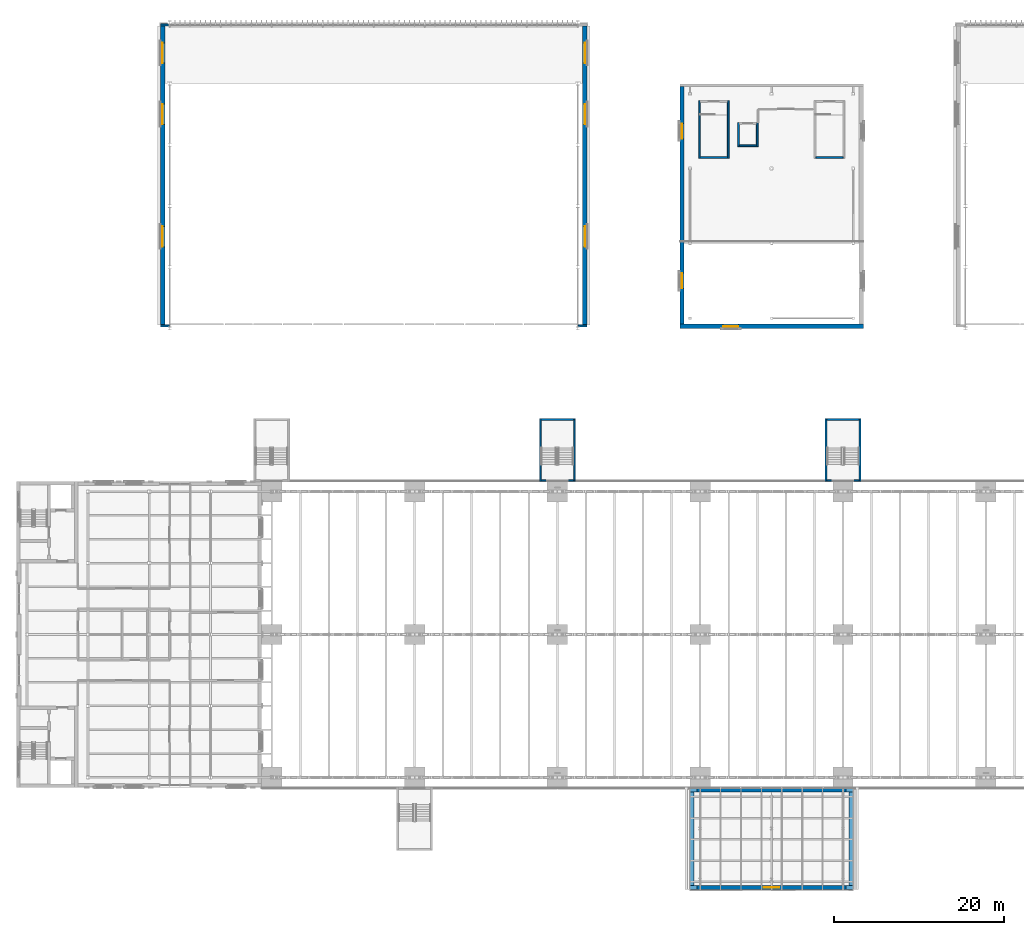
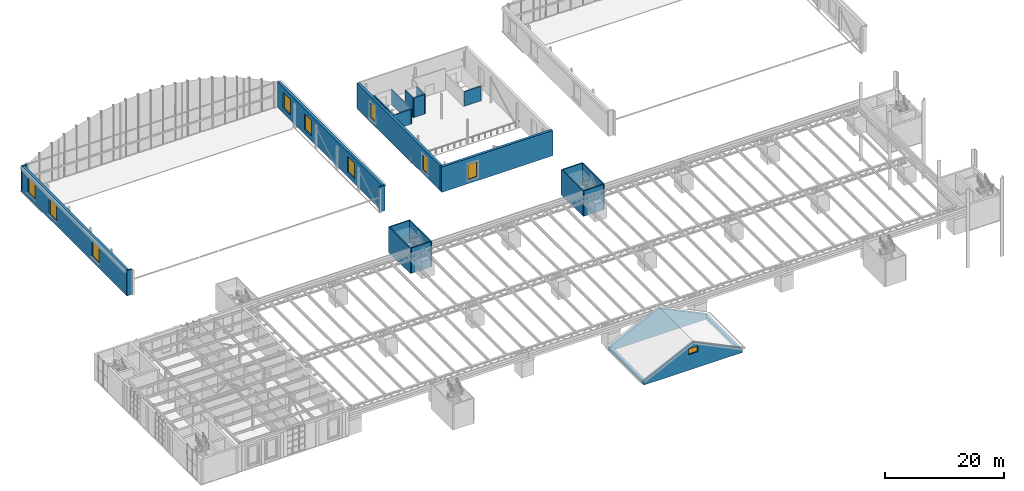
# One storey, part 56 of 93: 26 walls, 10 windows, 10 openings.
"""IFC4 building model written with IfcOpenShell, lengths in metres."""

import ifcopenshell
import ifcopenshell.guid

model = None  # the IFC model being written
_history = None  # IfcOwnerHistory: only IFC2X3 demands one
_inside = {}  # id of a spatial element -> (the spatial element, [elements in it])
_under = {}  # id of a project, library or spatial element -> (it, [spatial elements below it])
_declared = {}  # id of a project -> (the project, [libraries it declares])
_typed = {}  # id of a type object -> (the type object, [elements of that type])
_made_of = {}  # id of a material, layer set ... -> (it, [elements and type objects made of it])


def new_model(schema):
    """Start an empty IFC model of exactly this schema.

    Asked for "IFC4X3", IfcOpenShell would pick the latest addendum, in which some entities
    have other attributes; the version numbers below select the first issue.
    IFC2X3 requires an IfcOwnerHistory on every rooted entity: one is made here for all.
    """
    global model, _history
    if schema == "IFC4X3":
        model = ifcopenshell.file(schema_version=(4, 3, 0, 0))
    else:
        model = ifcopenshell.file(schema=schema)
    _inside.clear()
    _under.clear()
    _declared.clear()
    _typed.clear()
    _made_of.clear()
    _history = None
    if model.schema == "IFC2X3":
        org = make("IfcOrganization", Name="unknown")
        user = make(
            "IfcPersonAndOrganization",
            ThePerson=make("IfcPerson", FamilyName="unknown"),
            TheOrganization=org,
        )
        app = make(
            "IfcApplication",
            ApplicationDeveloper=org,
            Version="unknown",
            ApplicationFullName="unknown",
            ApplicationIdentifier="unknown",
        )
        _history = make(
            "IfcOwnerHistory",
            OwningUser=user,
            OwningApplication=app,
            ChangeAction="ADDED",
            CreationDate=0,
        )
    return model


def make(cls, **values):
    """One entity of the class cls with the attributes given. An attribute that is None is left unset."""
    return model.create_entity(
        cls, **{name: value for name, value in values.items() if value is not None}
    )


def rooted(cls, **values):
    """An entity with a GlobalId (a new one), such as an element, a storey or a relation."""
    return make(cls, GlobalId=ifcopenshell.guid.new(), OwnerHistory=_history, **values)


def si_unit(unit_type, name, prefix=None):
    """IfcSIUnit, for example si_unit("LENGTHUNIT", "METRE", prefix="MILLI")."""
    return make("IfcSIUnit", UnitType=unit_type, Prefix=prefix, Name=name)


def assignment(units):
    """IfcUnitAssignment: the units of a project."""
    return None if units is None else make("IfcUnitAssignment", Units=units)


def point(xyz):
    """IfcCartesianPoint."""
    return None if xyz is None else make("IfcCartesianPoint", Coordinates=xyz)


def direction(xyz):
    """IfcDirection."""
    return None if xyz is None else make("IfcDirection", DirectionRatios=xyz)


def frame(location, z_axis=None, x_axis=None):
    """IfcAxis2Placement3D, a coordinate frame: its origin and axes. An axis left out is left unset."""
    return make(
        "IfcAxis2Placement3D",
        Location=point(location),
        Axis=direction(z_axis),
        RefDirection=direction(x_axis),
    )


def frame_2d(location, x_axis=None):
    """IfcAxis2Placement2D, a coordinate frame in the plane: its origin and x axis."""
    return make(
        "IfcAxis2Placement2D", Location=point(location), RefDirection=direction(x_axis)
    )


def origin():
    """The frame at (0, 0, 0) with its axes left unset."""
    return frame((0.0, 0.0, 0.0))


def place(relative_to, where):
    """IfcLocalPlacement: puts the frame where relative to a parent placement (None: the world)."""
    return make(
        "IfcLocalPlacement", PlacementRelTo=relative_to, RelativePlacement=where
    )


def context(
    kind, dimensions, precision=None, world=None, true_north=None, identifier=None
):
    """IfcGeometricRepresentationContext, for example the 3D "Model" context."""
    return make(
        "IfcGeometricRepresentationContext",
        ContextIdentifier=identifier,
        ContextType=kind,
        CoordinateSpaceDimension=dimensions,
        Precision=precision,
        WorldCoordinateSystem=world,
        TrueNorth=true_north,
    )


def subcontext(parent, identifier, kind, view, scale=None):
    """IfcGeometricRepresentationSubContext, for example "Body" below "Model"."""
    return make(
        "IfcGeometricRepresentationSubContext",
        ContextIdentifier=identifier,
        ContextType=kind,
        ParentContext=parent,
        TargetScale=scale,
        TargetView=view,
    )


def project(units=None, contexts=None):
    """IfcProject with its units and contexts."""
    return rooted(
        "IfcProject",
        Name="project",
        RepresentationContexts=contexts,
        UnitsInContext=assignment(units),
    )


def spatial(cls, under=None, at=None, **own):
    """A site, building, storey or space (cls), placed at a placement, below another one or the project."""
    s = rooted(cls, ObjectPlacement=at, **own)
    if under is not None:
        _under.setdefault(under.id(), (under, []))[1].append(s)
    return s


def polyline(points):
    """IfcPolyline through the points."""
    return make("IfcPolyline", Points=[point(p) for p in points])


def profile(cls, at=None, kind="AREA", **sizes):
    """A parametric profile (cls). Its sizes go by their IFC names, for example OverallWidth=200.0."""
    return make(cls, ProfileType=kind, Position=at, **sizes)


def rectangle(**sizes):
    """IfcRectangleProfileDef."""
    return profile("IfcRectangleProfileDef", **sizes)


def outline(outer, holes=None, kind="AREA"):
    """IfcArbitraryClosedProfileDef: a profile drawn as a closed curve; with holes, ...WithVoids."""
    if holes is None:
        return make("IfcArbitraryClosedProfileDef", ProfileType=kind, OuterCurve=outer)
    return make(
        "IfcArbitraryProfileDefWithVoids",
        ProfileType=kind,
        OuterCurve=outer,
        InnerCurves=holes,
    )


def extrude(swept, where, along, depth):
    """IfcExtrudedAreaSolid: the profile swept, set in the frame where, extruded along a direction by depth."""
    return make(
        "IfcExtrudedAreaSolid",
        SweptArea=swept,
        Position=where,
        ExtrudedDirection=direction(along),
        Depth=depth,
    )


def shape(context_of_items, identifier, shape_type, items):
    """IfcShapeRepresentation: the items that make up one representation, for example the "Body"."""
    return make(
        "IfcShapeRepresentation",
        ContextOfItems=context_of_items,
        RepresentationIdentifier=identifier,
        RepresentationType=shape_type,
        Items=items,
    )


def material(Name=None, Category=None):
    """IfcMaterial."""
    return make("IfcMaterial", Name=Name, Category=Category)


def layer(
    of_material, thickness, ventilated=None, Name=None, Category=None, Priority=None
):
    """IfcMaterialLayer: one layer of a wall or slab, of a material (None: an air gap)."""
    return make(
        "IfcMaterialLayer",
        Material=of_material,
        LayerThickness=thickness,
        IsVentilated=ventilated,
        Name=Name,
        Category=Category,
        Priority=Priority,
    )


def layer_set(layers, Name=None):
    """IfcMaterialLayerSet."""
    return make("IfcMaterialLayerSet", MaterialLayers=layers, LayerSetName=Name)


def made_of(thing, what):
    """Note that an element or type object is made of a material, layer set ...; save() writes the relation."""
    if what is not None:
        _made_of.setdefault(what.id(), (what, []))[1].append(thing)
    return thing


def type_object(cls, material=None, **own):
    """A type object (cls), such as IfcWallType, which elements share."""
    return made_of(rooted(cls, **own), material)


def element(
    cls,
    number,
    at=None,
    inside=None,
    cuts=None,
    type_object=None,
    material=None,
    context=None,
    identifier="Body",
    shape_type=None,
    held_by="IfcProductDefinitionShape",
    body=None,
    shapes=None,
    **own,
):
    """One element of the class cls, such as IfcWall. Its Tag is "e" and its number.

    at: its placement. inside: the storey or other place that contains it. cuts: it is an
    opening in that element (IfcRelVoidsElement). A single representation is given by context,
    identifier, shape_type and body (its items); several are given by shapes. held_by: the class
    of the entity that holds the representations. save() writes the other relations.
    """
    e = rooted(cls, Tag="e%d" % number, ObjectPlacement=at, **own)
    if body is not None:
        shapes = [shape(context, identifier, shape_type, body)]
    if shapes is not None:
        e.Representation = make(held_by, Representations=shapes)
    if inside is not None:
        _inside.setdefault(inside.id(), (inside, []))[1].append(e)
    if cuts is not None:
        rooted(
            "IfcRelVoidsElement", RelatingBuildingElement=cuts, RelatedOpeningElement=e
        )
    if type_object is not None:
        _typed.setdefault(type_object.id(), (type_object, []))[1].append(e)
    return made_of(e, material)


def fill(opening, filler):
    """IfcRelFillsElement: the door or window that sits in an opening."""
    return rooted(
        "IfcRelFillsElement",
        RelatingOpeningElement=opening,
        RelatedBuildingElement=filler,
    )


def aggregate(whole, parts):
    """IfcRelAggregates: a whole, such as a stair, and the parts it consists of."""
    return rooted("IfcRelAggregates", RelatingObject=whole, RelatedObjects=parts)


def save(model, path):
    """Write the relations noted so far, then the file.

    IfcRelAggregates (storeys below a building ...), IfcRelContainedInSpatialStructure (elements
    in a storey), IfcRelDefinesByType, IfcRelAssociatesMaterial and IfcRelDeclares: one each for
    every whole, place, type object, material and project.
    """
    for whole, parts in _under.values():
        aggregate(whole, parts)
    for where, things in _inside.values():
        rooted(
            "IfcRelContainedInSpatialStructure",
            RelatedElements=things,
            RelatingStructure=where,
        )
    for kind, things in _typed.values():
        rooted("IfcRelDefinesByType", RelatedObjects=things, RelatingType=kind)
    for what, things in _made_of.values():
        rooted("IfcRelAssociatesMaterial", RelatedObjects=things, RelatingMaterial=what)
    for by, libraries in _declared.values():
        rooted("IfcRelDeclares", RelatingContext=by, RelatedDefinitions=libraries)
    model.write(path)


model = new_model("IFC4")

# Units and contexts
model_context = context("Model", 3, precision=1e-05, world=origin(), true_north=direction((0.0, 1.0)))
body_context = subcontext(model_context, "Body", "Model", "MODEL_VIEW")
ifc_project = project(units=[si_unit("LENGTHUNIT", "METRE"), si_unit("AREAUNIT", "SQUARE_METRE"), si_unit("VOLUMEUNIT", "CUBIC_METRE"), si_unit("PLANEANGLEUNIT", "RADIAN"), si_unit("MASSUNIT", "GRAM", prefix="KILO")], contexts=[model_context])

# Site, building, storey
site_placement = place(None, origin())
site = spatial("IfcSite", under=ifc_project, at=site_placement, CompositionType="ELEMENT")
building_placement = place(site_placement, origin())
building = spatial("IfcBuilding", under=site, at=building_placement, Name="Verrick Yard Athletic Hall", CompositionType="ELEMENT")
storey_placement = place(building_placement, frame((0.0, 0.0, 8.800048828125)))
storey = spatial("IfcBuildingStorey", under=building, at=storey_placement, Name="L02", CompositionType="ELEMENT", Elevation=8.800048828125)

# Walls
ifc_material_1 = material(Name="Concrete 35 MPa", Category="concrete")
ifc_layer_1 = layer(ifc_material_1, 0.199951171875)
ifc_layer_set_1 = layer_set([ifc_layer_1], Name="Enclosure wall CR200")
wall_type_1 = type_object("IfcWallType", Name="Enclosure wall CR200", PredefinedType="SOLIDWALL", material=ifc_layer_set_1)
wall_1_placement = place(storey_placement, frame((104.0, 92.10009765625, 0.0), z_axis=(0.0, 0.0, 1.0), x_axis=(1.0, 0.0, 0.0)))
element("IfcWall", 1, at=wall_1_placement, inside=storey, type_object=wall_type_1, Name="CORE-CH-E-WS-L02", PredefinedType="SOLIDWALL", context=body_context, shape_type="SweptSolid", body=[
    extrude(rectangle(XDim=3.199951171875, YDim=0.199951171875, at=frame_2d((1.60009765625, 0.0))), origin(), (0.0, 0.0, 1.0), 3.0),
])
for number, where, z_axis, x_axis, name in (
    (2, (90.300048828125, 92.0, 0.0), (0.0, 0.0, 1.0), (0.0, 1.0, 0.0), "CORE-CH-W-WW-L02"),
    (3, (93.699951171875, 92.0, 0.0), (0.0, 0.0, 1.0), (0.0, 1.0, 0.0), "CORE-CH-W-WE-L02"),
):
    element("IfcWall", number, at=place(storey_placement, frame(where, z_axis=z_axis, x_axis=x_axis)), inside=storey, type_object=wall_type_1, Name=name, PredefinedType="SOLIDWALL", context=body_context, shape_type="SweptSolid", body=[
        extrude(rectangle(XDim=6.800048828125, YDim=0.199951171875, at=frame_2d((3.39990234375, 0.0))), origin(), (0.0, 0.0, 1.0), 3.0),
    ])
wall_2_placement = place(storey_placement, frame((90.39990234375, 92.10009765625, 0.0), z_axis=(0.0, 0.0, 1.0), x_axis=(1.0, 0.0, 0.0)))
element("IfcWall", 4, at=wall_2_placement, inside=storey, type_object=wall_type_1, Name="CORE-CH-W-WS-L02", PredefinedType="SOLIDWALL", context=body_context, shape_type="SweptSolid", body=[
    extrude(rectangle(XDim=3.2001953125, YDim=0.199951171875, at=frame_2d((1.60009765625, 0.0))), origin(), (0.0, 0.0, 1.0), 3.0),
])
for number, where, z_axis, x_axis, name in (
    (5, (94.89990234375, 93.39990234375, 0.0), (0.0, 0.0, 1.0), (0.0, 1.0, 0.0), "CORE-LF-CH-WW-L02"),
    (6, (97.10009765625, 93.39990234375, 0.0), (0.0, 0.0, 1.0), (0.0, 1.0, 0.0), "CORE-LF-CH-WE-L02"),
):
    element("IfcWall", number, at=place(storey_placement, frame(where, z_axis=z_axis, x_axis=x_axis)), inside=storey, type_object=wall_type_1, Name=name, PredefinedType="SOLIDWALL", context=body_context, shape_type="SweptSolid", body=[
        extrude(rectangle(XDim=2.800048828125, YDim=0.199951171875, at=frame_2d((1.39990234375, 0.0))), origin(), (0.0, 0.0, 1.0), 4.0),
    ])
wall_3_placement = place(storey_placement, frame((95.0, 93.5, 0.0), z_axis=(0.0, 0.0, 1.0), x_axis=(1.0, 0.0, 0.0)))
element("IfcWall", 7, at=wall_3_placement, inside=storey, type_object=wall_type_1, Name="CORE-LF-CH-WS-L02", PredefinedType="SOLIDWALL", context=body_context, shape_type="SweptSolid", body=[
    extrude(rectangle(XDim=2.0, YDim=0.199951171875, at=frame_2d((1.0, 0.0))), origin(), (0.0, 0.0, 1.0), 4.0),
])
ifc_layer_2 = layer(ifc_material_1, 0.199951171875)
ifc_layer_set_2 = layer_set([ifc_layer_2], Name="External enclosure wall CR200")
wall_type_2 = type_object("IfcWallType", Name="External enclosure wall CR200", PredefinedType="SOLIDWALL", material=ifc_layer_set_2)
for number, where, z_axis, x_axis, name in (
    (8, (105.199951171875, 54.0, 0.0), (0.0, 0.0, 1.0), (0.0, 1.0, 0.0), "CORE-DT-N2-WW-L02"),
    (9, (109.199951171875, 61.39990234375, 0.0), (0.0, 0.0, 1.0), (0.0, -1.0, 0.0), "CORE-DT-N2-WE-L02"),
):
    element("IfcWall", number, at=place(storey_placement, frame(where, z_axis=z_axis, x_axis=x_axis)), inside=storey, type_object=wall_type_2, Name=name, PredefinedType="SOLIDWALL", context=body_context, shape_type="SweptSolid", body=[
        extrude(rectangle(XDim=7.39990234375, YDim=0.199951171875, at=frame_2d((3.699951171875, 0.0))), origin(), (0.0, 0.0, 1.0), 5.199951171875),
    ])
for number, where, z_axis, x_axis, name in (
    (10, (105.300048828125, 54.10009765625, 0.0), (0.0, 0.0, 1.0), (1.0, 0.0, 0.0), "CORE-DT-N2-WS-L02"),
    (11, (105.300048828125, 61.300048828125, 0.0), (0.0, 0.0, 1.0), (1.0, 0.0, 0.0), "CORE-DT-N2-WN-L02"),
):
    element("IfcWall", number, at=place(storey_placement, frame(where, z_axis=z_axis, x_axis=x_axis)), inside=storey, type_object=wall_type_2, Name=name, PredefinedType="SOLIDWALL", context=body_context, shape_type="SweptSolid", body=[
        extrude(rectangle(XDim=3.800048828125, YDim=0.199951171875, at=frame_2d((1.89990234375, 0.0))), origin(), (0.0, 0.0, 1.0), 5.199951171875),
    ])
for number, where, z_axis, x_axis, name in (
    (12, (71.60009765625, 54.0, 0.0), (0.0, 0.0, 1.0), (0.0, 1.0, 0.0), "CORE-DT-N3-WW-L02"),
    (13, (75.60009765625, 61.39990234375, 0.0), (0.0, 0.0, 1.0), (0.0, -1.0, 0.0), "CORE-DT-N3-WE-L02"),
):
    element("IfcWall", number, at=place(storey_placement, frame(where, z_axis=z_axis, x_axis=x_axis)), inside=storey, type_object=wall_type_2, Name=name, PredefinedType="SOLIDWALL", context=body_context, shape_type="SweptSolid", body=[
        extrude(rectangle(XDim=7.39990234375, YDim=0.199951171875, at=frame_2d((3.699951171875, 0.0))), origin(), (0.0, 0.0, 1.0), 5.199951171875),
    ])
for number, where, z_axis, x_axis, name in (
    (14, (71.699951171875, 54.10009765625, 0.0), (0.0, 0.0, 1.0), (1.0, 0.0, 0.0), "CORE-DT-N3-WS-L02"),
    (15, (71.699951171875, 61.300048828125, 0.0), (0.0, 0.0, 1.0), (1.0, 0.0, 0.0), "CORE-DT-N3-WN-L02"),
):
    element("IfcWall", number, at=place(storey_placement, frame(where, z_axis=z_axis, x_axis=x_axis)), inside=storey, type_object=wall_type_2, Name=name, PredefinedType="SOLIDWALL", context=body_context, shape_type="SweptSolid", body=[
        extrude(rectangle(XDim=3.800048828125, YDim=0.199951171875, at=frame_2d((1.89990234375, 0.0))), origin(), (0.0, 0.0, 1.0), 5.199951171875),
    ])
ifc_material_2 = material(Name="Tyndall-stone-look precast cladding", Category="masonry")
ifc_layer_3 = layer(ifc_material_2, 0.0625, Name="Tyndall-stone-look precast cladding")
ifc_material_3 = material(Name="Mineral wool insulation")
ifc_layer_4 = layer(ifc_material_3, 0.0625, Name="Mineral wool insulation")
ifc_layer_5 = layer(ifc_material_1, 0.25, Name="Concrete 35 MPa")
ifc_layer_set_3 = layer_set([ifc_layer_3, ifc_layer_4, ifc_layer_5], Name="Gable base wall")
wall_type_3 = type_object("IfcWallType", Name="Gable base wall", PredefinedType="SOLIDWALL", material=ifc_layer_set_3)
for number, where, z_axis, x_axis, name in (
    (16, (26.925048828125, 72.30126953125, 0.0), (0.0, 0.0, 1.0), (1.0, 0.0, 0.0), "ENVB-HBS-PIER-W-L02"),
    (17, (76.030029296875, 72.30126953125, 0.0), (0.0, 0.0, 1.0), (1.0, 0.0, 0.0), "ENVB-HBS-PIER-E-L02"),
    (18, (26.925048828125, 107.69873046875, 0.0), (0.0, 0.0, 1.0), (1.0, 0.0, 0.0), "ENVB-HBN-PIER-W-L02"),
):
    element("IfcWall", number, at=place(storey_placement, frame(where, z_axis=z_axis, x_axis=x_axis)), inside=storey, type_object=wall_type_3, Name=name, PredefinedType="SOLIDWALL", context=body_context, shape_type="SweptSolid", body=[
        extrude(rectangle(XDim=1.044921875, YDim=0.234375, at=frame_2d((0.5224609375, 0.0))), origin(), (0.0, 0.0, 1.0), 5.199951171875),
    ])

# Wall, openings, windows
ifc_material_4 = material(Name="Through-coloured mineral render, warm white")
ifc_layer_6 = layer(ifc_material_4, 0.125, Name="Through-coloured mineral render, warm white")
ifc_layer_7 = layer(ifc_material_3, 0.125, Name="Mineral wool insulation")
ifc_layer_8 = layer(ifc_material_1, 0.25, Name="Concrete 35 MPa")
ifc_layer_set_4 = layer_set([ifc_layer_6, ifc_layer_7, ifc_layer_8], Name="Hall upper wall")
wall_type_4 = type_object("IfcWallType", Name="Hall upper wall", PredefinedType="SOLIDWALL", material=ifc_layer_set_4)
wall_4_placement = place(storey_placement, frame((27.175048828125, 72.41845703125, 0.0), z_axis=(0.0, 0.0, 1.0), x_axis=(0.0, 1.0, 0.0)))
wall_4 = element("IfcWall", 19, at=wall_4_placement, inside=storey, type_object=wall_type_4, Name="ENVB-HB-W-L02", PredefinedType="SOLIDWALL", context=body_context, shape_type="SweptSolid", body=[
    extrude(rectangle(XDim=35.1630859375, YDim=0.5, at=frame_2d((17.58154296875, 0.0))), origin(), (0.0, 0.0, 1.0), 5.199951171875),
])
opening_1_placement = place(wall_4_placement, frame((9.1826171875, 0.0, 1.0)))
opening_1 = element("IfcOpeningElement", 20, at=opening_1_placement, cuts=wall_4, Name="Opening W26", PredefinedType="OPENING", context=body_context, shape_type="SweptSolid", body=[
    extrude(rectangle(XDim=2.39990234375, YDim=3.199951171875, at=frame_2d((1.199951171875, 1.60009765625))), frame((0.0, 0.260009765625, 0.0), z_axis=(0.0, -1.0, 0.0), x_axis=(1.0, 0.0, 0.0)), (0.0, 0.0, 1.0), 0.52001953125),
])
opening_2_placement = place(wall_4_placement, frame((23.58251953125, 0.0, 1.0)))
opening_2 = element("IfcOpeningElement", 21, at=opening_2_placement, cuts=wall_4, Name="Opening W26", PredefinedType="OPENING", context=body_context, shape_type="SweptSolid", body=[
    extrude(rectangle(XDim=2.39990234375, YDim=3.199951171875, at=frame_2d((1.199951171875, 1.60009765625))), frame((0.0, 0.260009765625, 0.0), z_axis=(0.0, -1.0, 0.0), x_axis=(1.0, 0.0, 0.0)), (0.0, 0.0, 1.0), 0.52001953125),
])
opening_3_placement = place(wall_4_placement, frame((30.782470703125, 0.0, 1.0)))
opening_3 = element("IfcOpeningElement", 22, at=opening_3_placement, cuts=wall_4, Name="Opening W26", PredefinedType="OPENING", context=body_context, shape_type="SweptSolid", body=[
    extrude(rectangle(XDim=2.39990234375, YDim=3.199951171875, at=frame_2d((1.199951171875, 1.60009765625))), frame((0.0, 0.260009765625, 0.0), z_axis=(0.0, -1.0, 0.0), x_axis=(1.0, 0.0, 0.0)), (0.0, 0.0, 1.0), 0.52001953125),
])
ifc_material_5 = material(Name="Anodised aluminium frame with insulated glazing", Category="aluminium")
window_type_1 = type_object("IfcWindowType", Name="Hall window 2400x3200", PartitioningType="NOTDEFINED", PredefinedType="WINDOW", material=ifc_material_5)
window_1_placement = place(opening_1_placement, origin())
window_1 = element("IfcWindow", 23, at=window_1_placement, inside=storey, type_object=window_type_1, Name="ENVB-HB-W-L02-W2", OverallHeight=3.199951171875, OverallWidth=2.39990234375, PartitioningType="SINGLE_PANEL", PredefinedType="WINDOW", context=body_context, shape_type="SweptSolid", body=[
    extrude(rectangle(XDim=2.39990234375, YDim=3.199951171875, at=frame_2d((1.199951171875, 1.60009765625))), frame((0.0, 0.030029296875, 0.0), z_axis=(0.0, -1.0, 0.0), x_axis=(1.0, 0.0, 0.0)), (0.0, 0.0, 1.0), 0.06005859375),
])
fill(opening_1, window_1)
window_2_placement = place(opening_2_placement, origin())
window_2 = element("IfcWindow", 24, at=window_2_placement, inside=storey, type_object=window_type_1, Name="ENVB-HB-W-L02-W4", OverallHeight=3.199951171875, OverallWidth=2.39990234375, PartitioningType="SINGLE_PANEL", PredefinedType="WINDOW", context=body_context, shape_type="SweptSolid", body=[
    extrude(rectangle(XDim=2.39990234375, YDim=3.199951171875, at=frame_2d((1.199951171875, 1.60009765625))), frame((0.0, 0.030029296875, 0.0), z_axis=(0.0, -1.0, 0.0), x_axis=(1.0, 0.0, 0.0)), (0.0, 0.0, 1.0), 0.06005859375),
])
fill(opening_2, window_2)
window_3_placement = place(opening_3_placement, origin())
window_3 = element("IfcWindow", 25, at=window_3_placement, inside=storey, type_object=window_type_1, Name="ENVB-HB-W-L02-W5", OverallHeight=3.199951171875, OverallWidth=2.39990234375, PartitioningType="SINGLE_PANEL", PredefinedType="WINDOW", context=body_context, shape_type="SweptSolid", body=[
    extrude(rectangle(XDim=2.39990234375, YDim=3.199951171875, at=frame_2d((1.199951171875, 1.60009765625))), frame((0.0, 0.030029296875, 0.0), z_axis=(0.0, -1.0, 0.0), x_axis=(1.0, 0.0, 0.0)), (0.0, 0.0, 1.0), 0.06005859375),
])
fill(opening_3, window_3)

wall_5_placement = place(storey_placement, frame((76.824951171875, 72.41845703125, 0.0), z_axis=(0.0, 0.0, 1.0), x_axis=(0.0, 1.0, 0.0)))
wall_5 = element("IfcWall", 26, at=wall_5_placement, inside=storey, type_object=wall_type_4, Name="ENVB-HB-E-L02", PredefinedType="SOLIDWALL", context=body_context, shape_type="SweptSolid", body=[
    extrude(rectangle(XDim=35.1630859375, YDim=0.5, at=frame_2d((17.58154296875, 0.0))), origin(), (0.0, 0.0, 1.0), 5.199951171875),
])
opening_4_placement = place(wall_5_placement, frame((9.1826171875, 0.0, 1.0)))
opening_4 = element("IfcOpeningElement", 27, at=opening_4_placement, cuts=wall_5, Name="Opening W26", PredefinedType="OPENING", context=body_context, shape_type="SweptSolid", body=[
    extrude(rectangle(XDim=2.39990234375, YDim=3.199951171875, at=frame_2d((1.199951171875, 1.60009765625))), frame((0.0, 0.260009765625, 0.0), z_axis=(0.0, -1.0, 0.0), x_axis=(1.0, 0.0, 0.0)), (0.0, 0.0, 1.0), 0.52001953125),
])
opening_5_placement = place(wall_5_placement, frame((23.58251953125, 0.0, 1.0)))
opening_5 = element("IfcOpeningElement", 28, at=opening_5_placement, cuts=wall_5, Name="Opening W26", PredefinedType="OPENING", context=body_context, shape_type="SweptSolid", body=[
    extrude(rectangle(XDim=2.39990234375, YDim=3.199951171875, at=frame_2d((1.199951171875, 1.60009765625))), frame((0.0, 0.260009765625, 0.0), z_axis=(0.0, -1.0, 0.0), x_axis=(1.0, 0.0, 0.0)), (0.0, 0.0, 1.0), 0.52001953125),
])
opening_6_placement = place(wall_5_placement, frame((30.782470703125, 0.0, 1.0)))
opening_6 = element("IfcOpeningElement", 29, at=opening_6_placement, cuts=wall_5, Name="Opening W26", PredefinedType="OPENING", context=body_context, shape_type="SweptSolid", body=[
    extrude(rectangle(XDim=2.39990234375, YDim=3.199951171875, at=frame_2d((1.199951171875, 1.60009765625))), frame((0.0, 0.260009765625, 0.0), z_axis=(0.0, -1.0, 0.0), x_axis=(1.0, 0.0, 0.0)), (0.0, 0.0, 1.0), 0.52001953125),
])
window_4_placement = place(opening_4_placement, origin())
window_4 = element("IfcWindow", 30, at=window_4_placement, inside=storey, type_object=window_type_1, Name="ENVB-HB-E-L02-W2", OverallHeight=3.199951171875, OverallWidth=2.39990234375, PartitioningType="SINGLE_PANEL", PredefinedType="WINDOW", context=body_context, shape_type="SweptSolid", body=[
    extrude(rectangle(XDim=2.39990234375, YDim=3.199951171875, at=frame_2d((1.199951171875, 1.60009765625))), frame((0.0, 0.030029296875, 0.0), z_axis=(0.0, -1.0, 0.0), x_axis=(1.0, 0.0, 0.0)), (0.0, 0.0, 1.0), 0.06005859375),
])
fill(opening_4, window_4)
window_5_placement = place(opening_5_placement, origin())
window_5 = element("IfcWindow", 31, at=window_5_placement, inside=storey, type_object=window_type_1, Name="ENVB-HB-E-L02-W4", OverallHeight=3.199951171875, OverallWidth=2.39990234375, PartitioningType="SINGLE_PANEL", PredefinedType="WINDOW", context=body_context, shape_type="SweptSolid", body=[
    extrude(rectangle(XDim=2.39990234375, YDim=3.199951171875, at=frame_2d((1.199951171875, 1.60009765625))), frame((0.0, 0.030029296875, 0.0), z_axis=(0.0, -1.0, 0.0), x_axis=(1.0, 0.0, 0.0)), (0.0, 0.0, 1.0), 0.06005859375),
])
fill(opening_5, window_5)
window_6_placement = place(opening_6_placement, origin())
window_6 = element("IfcWindow", 32, at=window_6_placement, inside=storey, type_object=window_type_1, Name="ENVB-HB-E-L02-W5", OverallHeight=3.199951171875, OverallWidth=2.39990234375, PartitioningType="SINGLE_PANEL", PredefinedType="WINDOW", context=body_context, shape_type="SweptSolid", body=[
    extrude(rectangle(XDim=2.39990234375, YDim=3.199951171875, at=frame_2d((1.199951171875, 1.60009765625))), frame((0.0, 0.030029296875, 0.0), z_axis=(0.0, -1.0, 0.0), x_axis=(1.0, 0.0, 0.0)), (0.0, 0.0, 1.0), 0.06005859375),
])
fill(opening_6, window_6)

# Wall
ifc_layer_9 = layer(ifc_material_2, 0.125, Name="Tyndall-stone-look precast cladding")
ifc_layer_10 = layer(ifc_material_3, 0.125, Name="Mineral wool insulation")
ifc_layer_11 = layer(ifc_material_1, 0.25, Name="Concrete 35 MPa")
ifc_layer_set_5 = layer_set([ifc_layer_9, ifc_layer_10, ifc_layer_11], Name="Pavilion internal wall")
wall_type_5 = type_object("IfcWallType", Name="Pavilion internal wall", PredefinedType="SOLIDWALL", material=ifc_layer_set_5)
wall_6_placement = place(storey_placement, frame((89.199951171875, 17.75, 0.0), z_axis=(0.0, 0.0, 1.0), x_axis=(1.0, 0.0, 0.0)))
element("IfcWall", 33, at=wall_6_placement, inside=storey, type_object=wall_type_5, Name="ENVB-FY-N-L02", PredefinedType="SOLIDWALL", context=body_context, shape_type="SweptSolid", body=[
    extrude(outline(polyline([(0.0, 0.0), (19.199951171875, 0.0), (19.199951171875, 0.794921875), (9.60009765625, 5.449951171875), (0.0, 0.794921875), (0.0, 0.0)])), frame((0.0, 0.25, 0.0), z_axis=(0.0, -1.0, 0.0), x_axis=(1.0, 0.0, 0.0)), (0.0, 0.0, 1.0), 0.5),
])

# Wall, openings, windows
ifc_layer_12 = layer(ifc_material_2, 0.125, Name="Tyndall-stone-look precast cladding")
ifc_layer_13 = layer(ifc_material_3, 0.125, Name="Mineral wool insulation")
ifc_layer_14 = layer(ifc_material_1, 0.25, Name="Concrete 35 MPa")
ifc_layer_set_6 = layer_set([ifc_layer_12, ifc_layer_13, ifc_layer_14], Name="Pavilion wall")
wall_type_6 = type_object("IfcWallType", Name="Pavilion wall", PredefinedType="SOLIDWALL", material=ifc_layer_set_6)
wall_7_placement = place(storey_placement, frame((88.25, 72.5, 0.0), z_axis=(0.0, 0.0, 1.0), x_axis=(0.0, 1.0, 0.0)))
wall_7 = element("IfcWall", 34, at=wall_7_placement, inside=storey, type_object=wall_type_6, Name="ENVB-CL-W-L02", PredefinedType="SOLIDWALL", context=body_context, shape_type="SweptSolid", body=[
    extrude(rectangle(XDim=27.949951171875, YDim=0.5, at=frame_2d((13.97509765625, 0.0))), origin(), (0.0, 0.0, 1.0), 5.199951171875),
])
opening_7_placement = place(wall_7_placement, frame((4.199951171875, 0.0, 0.800048828125)))
opening_7 = element("IfcOpeningElement", 35, at=opening_7_placement, cuts=wall_7, Name="Opening W27", PredefinedType="OPENING", context=body_context, shape_type="SweptSolid", body=[
    extrude(rectangle(XDim=1.800048828125, YDim=3.199951171875, at=frame_2d((0.89990234375, 1.60009765625))), frame((0.0, 0.260009765625, 0.0), z_axis=(0.0, -1.0, 0.0), x_axis=(1.0, 0.0, 0.0)), (0.0, 0.0, 1.0), 0.52001953125),
])
opening_8_placement = place(wall_7_placement, frame((21.800048828125, 0.0, 0.800048828125)))
opening_8 = element("IfcOpeningElement", 36, at=opening_8_placement, cuts=wall_7, Name="Opening W27", PredefinedType="OPENING", context=body_context, shape_type="SweptSolid", body=[
    extrude(rectangle(XDim=1.800048828125, YDim=3.199951171875, at=frame_2d((0.89990234375, 1.60009765625))), frame((0.0, 0.260009765625, 0.0), z_axis=(0.0, -1.0, 0.0), x_axis=(1.0, 0.0, 0.0)), (0.0, 0.0, 1.0), 0.52001953125),
])
window_type_2 = type_object("IfcWindowType", Name="Climbing hall window 1800x3200", PartitioningType="NOTDEFINED", PredefinedType="WINDOW", material=ifc_material_5)
window_7_placement = place(opening_7_placement, origin())
window_7 = element("IfcWindow", 37, at=window_7_placement, inside=storey, type_object=window_type_2, Name="ENVB-CL-W-L02-W1", OverallHeight=3.199951171875, OverallWidth=1.800048828125, PartitioningType="SINGLE_PANEL", PredefinedType="WINDOW", context=body_context, shape_type="SweptSolid", body=[
    extrude(rectangle(XDim=1.800048828125, YDim=3.199951171875, at=frame_2d((0.89990234375, 1.60009765625))), frame((0.0, 0.030029296875, 0.0), z_axis=(0.0, -1.0, 0.0), x_axis=(1.0, 0.0, 0.0)), (0.0, 0.0, 1.0), 0.06005859375),
])
fill(opening_7, window_7)
window_8_placement = place(opening_8_placement, origin())
window_8 = element("IfcWindow", 38, at=window_8_placement, inside=storey, type_object=window_type_2, Name="ENVB-CL-W-L02-W3", OverallHeight=3.199951171875, OverallWidth=1.800048828125, PartitioningType="SINGLE_PANEL", PredefinedType="WINDOW", context=body_context, shape_type="SweptSolid", body=[
    extrude(rectangle(XDim=1.800048828125, YDim=3.199951171875, at=frame_2d((0.89990234375, 1.60009765625))), frame((0.0, 0.030029296875, 0.0), z_axis=(0.0, -1.0, 0.0), x_axis=(1.0, 0.0, 0.0)), (0.0, 0.0, 1.0), 0.06005859375),
])
fill(opening_8, window_8)

# Wall, opening, window
wall_8_placement = place(storey_placement, frame((88.0, 72.25, 0.0), z_axis=(0.0, 0.0, 1.0), x_axis=(1.0, 0.0, 0.0)))
wall_8 = element("IfcWall", 39, at=wall_8_placement, inside=storey, type_object=wall_type_6, Name="ENVB-CL-S-L02", PredefinedType="SOLIDWALL", context=body_context, shape_type="SweptSolid", body=[
    extrude(rectangle(XDim=21.60009765625, YDim=0.5, at=frame_2d((10.800048828125, 0.0))), origin(), (0.0, 0.0, 1.0), 5.199951171875),
])
opening_9_placement = place(wall_8_placement, frame((5.10009765625, 0.0, 0.800048828125)))
opening_9 = element("IfcOpeningElement", 40, at=opening_9_placement, cuts=wall_8, Name="Opening W27", PredefinedType="OPENING", context=body_context, shape_type="SweptSolid", body=[
    extrude(rectangle(XDim=1.800048828125, YDim=3.199951171875, at=frame_2d((0.89990234375, 1.60009765625))), frame((0.0, 0.260009765625, 0.0), z_axis=(0.0, -1.0, 0.0), x_axis=(1.0, 0.0, 0.0)), (0.0, 0.0, 1.0), 0.52001953125),
])
window_9_placement = place(opening_9_placement, origin())
window_9 = element("IfcWindow", 41, at=window_9_placement, inside=storey, type_object=window_type_2, Name="ENVB-CL-S-L02-W1", OverallHeight=3.199951171875, OverallWidth=1.800048828125, PartitioningType="SINGLE_PANEL", PredefinedType="WINDOW", context=body_context, shape_type="SweptSolid", body=[
    extrude(rectangle(XDim=1.800048828125, YDim=3.199951171875, at=frame_2d((0.89990234375, 1.60009765625))), frame((0.0, 0.030029296875, 0.0), z_axis=(0.0, -1.0, 0.0), x_axis=(1.0, 0.0, 0.0)), (0.0, 0.0, 1.0), 0.06005859375),
])
fill(opening_9, window_9)

# Walls
for number, where, z_axis, x_axis, name in (
    (42, (89.449951171875, 6.5, 0.0), (0.0, 0.0, 1.0), (0.0, 1.0, 0.0), "ENVB-FY-W-L02"),
    (43, (108.14990234375, 6.5, 0.0), (0.0, 0.0, 1.0), (0.0, 1.0, 0.0), "ENVB-FY-E-L02"),
):
    element("IfcWall", number, at=place(storey_placement, frame(where, z_axis=z_axis, x_axis=x_axis)), inside=storey, type_object=wall_type_6, Name=name, PredefinedType="SOLIDWALL", context=body_context, shape_type="SweptSolid", body=[
        extrude(rectangle(XDim=11.0, YDim=0.5, at=frame_2d((5.5, 0.0))), origin(), (0.0, 0.0, 1.0), 0.794921875),
    ])

# Wall, opening, window
wall_9_placement = place(storey_placement, frame((89.199951171875, 6.25, 0.0), z_axis=(0.0, 0.0, 1.0), x_axis=(1.0, 0.0, 0.0)))
wall_9 = element("IfcWall", 44, at=wall_9_placement, inside=storey, type_object=wall_type_6, Name="ENVB-FY-S-L02", PredefinedType="SOLIDWALL", context=body_context, shape_type="SweptSolid", body=[
    extrude(outline(polyline([(0.0, 0.0), (19.199951171875, 0.0), (19.199951171875, 0.794921875), (9.60009765625, 5.449951171875), (0.0, 0.794921875), (0.0, 0.0)])), frame((0.0, 0.25, 0.0), z_axis=(0.0, -1.0, 0.0), x_axis=(1.0, 0.0, 0.0)), (0.0, 0.0, 1.0), 0.5),
])
opening_10_placement = place(wall_9_placement, frame((8.699951171875, 0.0, 3.199951171875)))
opening_10 = element("IfcOpeningElement", 45, at=opening_10_placement, cuts=wall_9, Name="Opening W29", PredefinedType="OPENING", context=body_context, shape_type="SweptSolid", body=[
    extrude(rectangle(XDim=1.800048828125, YDim=1.199951171875, at=frame_2d((0.89990234375, 0.60009765625))), frame((0.0, 0.260009765625, 0.0), z_axis=(0.0, -1.0, 0.0), x_axis=(1.0, 0.0, 0.0)), (0.0, 0.0, 1.0), 0.52001953125),
])
window_type_3 = type_object("IfcWindowType", Name="Pediment window 1800x1200", PartitioningType="NOTDEFINED", PredefinedType="WINDOW", material=ifc_material_5)
window_10_placement = place(opening_10_placement, origin())
window_10 = element("IfcWindow", 46, at=window_10_placement, inside=storey, type_object=window_type_3, Name="ENVB-FY-S-L02-W1", OverallHeight=1.199951171875, OverallWidth=1.800048828125, PartitioningType="SINGLE_PANEL", PredefinedType="WINDOW", context=body_context, shape_type="SweptSolid", body=[
    extrude(rectangle(XDim=1.800048828125, YDim=1.199951171875, at=frame_2d((0.89990234375, 0.60009765625))), frame((0.0, 0.030029296875, 0.0), z_axis=(0.0, -1.0, 0.0), x_axis=(1.0, 0.0, 0.0)), (0.0, 0.0, 1.0), 0.06005859375),
])
fill(opening_10, window_10)

save(model, "model.ifc")
